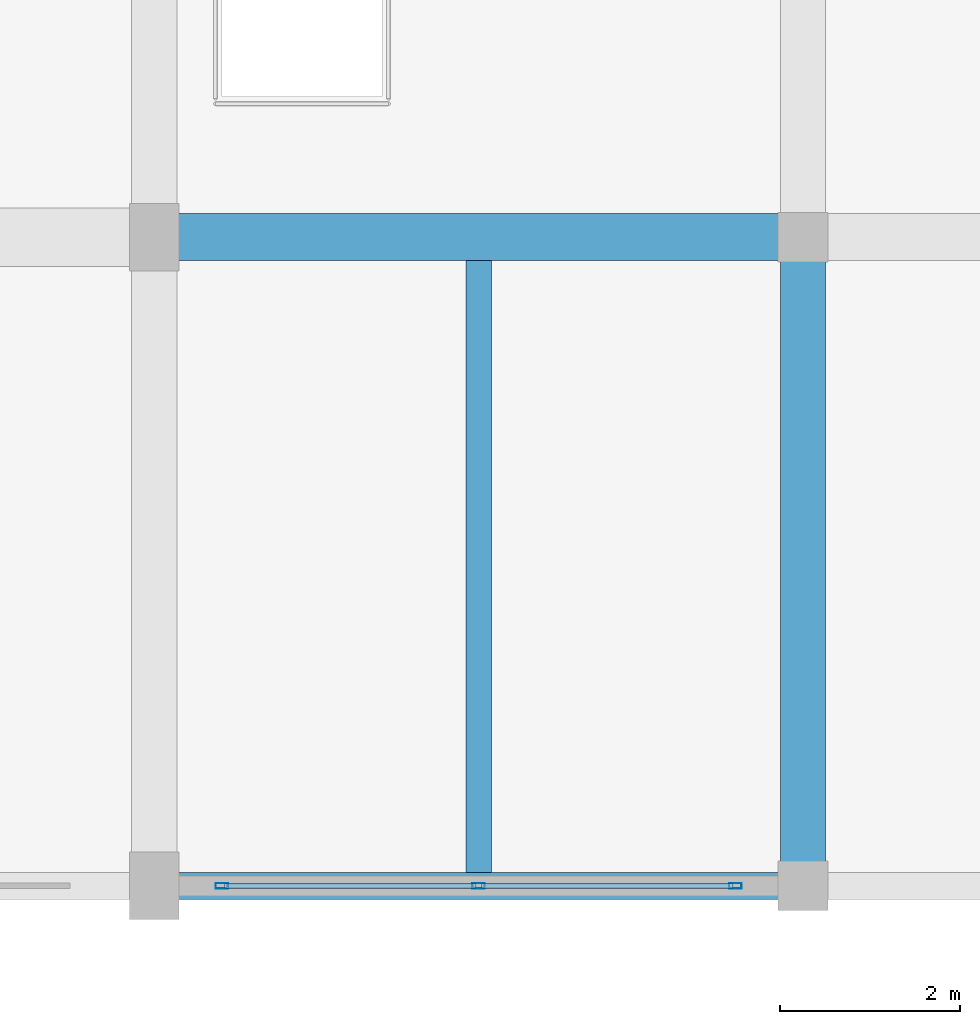
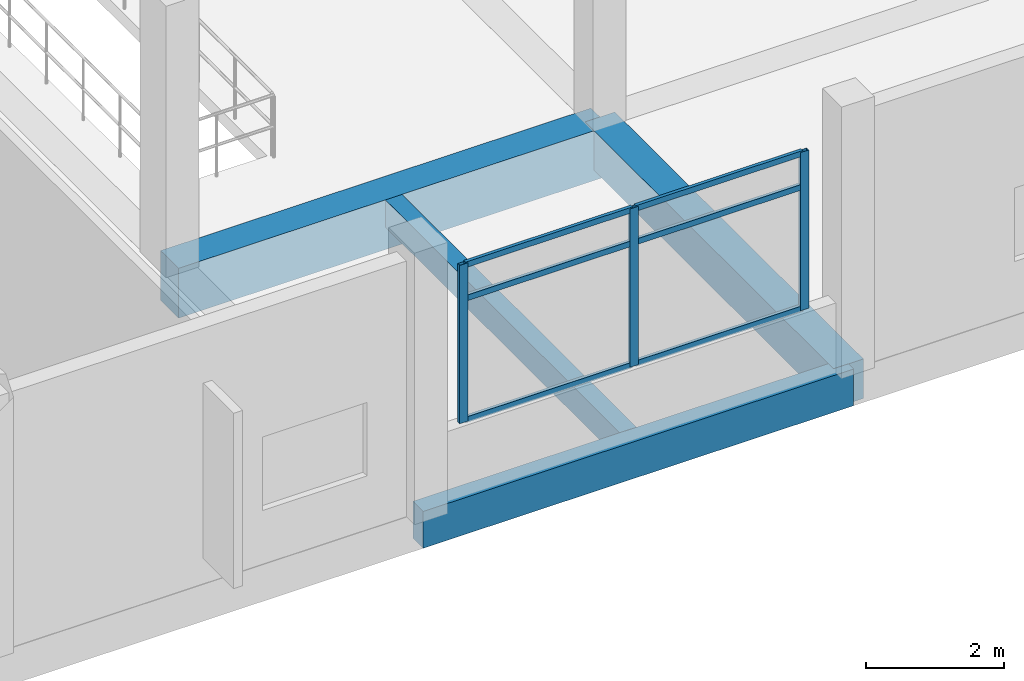
# One storey, part 83 of 140: 9 members, 4 beams, 1 element without a shape of its own.
"""IFC4 building model written with IfcOpenShell, lengths in metres."""

from ifc_helpers import new_model, si_unit, direction, frame, origin, origin_2d, place, context, subcontext, project, spatial, rectangle, hollow_rectangle, extrude, material, layer, layer_set, material_profile, profile_set, type_object, element, aggregate, save


model = new_model("IFC4")

# Units and contexts
model_context = context("Model", 3, precision=1e-05, world=origin(), true_north=direction((0.0, 1.0)))
body_context = subcontext(model_context, "Body", "Model", "MODEL_VIEW")
ifc_project = project(units=[si_unit("LENGTHUNIT", "METRE"), si_unit("AREAUNIT", "SQUARE_METRE"), si_unit("VOLUMEUNIT", "CUBIC_METRE"), si_unit("PLANEANGLEUNIT", "RADIAN"), si_unit("MASSUNIT", "GRAM", prefix="KILO")], contexts=[model_context])

# Site, building, storey
site_placement = place(None, origin())
site = spatial("IfcSite", under=ifc_project, at=site_placement, CompositionType="ELEMENT")
building_placement = place(site_placement, origin())
building = spatial("IfcBuilding", under=site, at=building_placement, Name="Seraya Terrace Polytechnic", CompositionType="ELEMENT")
storey_placement = place(building_placement, frame((0.0, 0.0, 9.60009765625)))
storey = spatial("IfcBuildingStorey", under=building, at=storey_placement, Name="L02", CompositionType="ELEMENT", Elevation=9.60009765625)

# Beams
ifc_material_1 = material(Name="Concrete C40/50", Category="concrete")
ifc_material_profile_1 = material_profile(ifc_material_1, rectangle(XDim=0.52001953125, YDim=0.8798828125, at=origin_2d()), Name="RC 520x880")
ifc_profile_set_1 = profile_set([ifc_material_profile_1], Name="Concrete C40/50")
beam_type_1 = type_object("IfcBeamType", Name="BM-04", PredefinedType="BEAM", material=ifc_profile_set_1)
beam_1_placement = place(storey_placement, frame((151.199951171875, 7.199951171875, -0.440185546875), z_axis=(1.0, 0.0, 0.0), x_axis=(0.0, 1.0, 0.0)))
element("IfcBeam", 1, at=beam_1_placement, inside=storey, type_object=beam_type_1, Name="Beam BM-04 L02 X (151.2..158.4, 7.2)", PredefinedType="BEAM", context=body_context, shape_type="SweptSolid", body=[
    extrude(rectangle(XDim=0.52001953125, YDim=0.8798828125, at=origin_2d()), origin(), (0.0, 0.0, 1.0), 7.199951171875),
])
ifc_material_profile_2 = material_profile(ifc_material_1, rectangle(XDim=0.5, YDim=0.699951171875, at=origin_2d()), Name="RC 500x700")
ifc_profile_set_2 = profile_set([ifc_material_profile_2], Name="Concrete C40/50")
beam_type_2 = type_object("IfcBeamType", Name="BM-07", PredefinedType="BEAM", material=ifc_profile_set_2)
beam_2_placement = place(storey_placement, frame((158.39990234375, 0.0, -0.35009765625), z_axis=(0.0, 1.0, 0.0), x_axis=(-1.0, 0.0, 0.0)))
element("IfcBeam", 2, at=beam_2_placement, inside=storey, type_object=beam_type_2, Name="Beam BM-07 L02 Y (158.4, 0.0..7.2)", PredefinedType="BEAM", context=body_context, shape_type="SweptSolid", body=[
    extrude(rectangle(XDim=0.5, YDim=0.699951171875, at=origin_2d()), origin(), (0.0, 0.0, 1.0), 7.199951171875),
])

# Curtain wall, members
ifc_material_2 = material(Name="Anodised aluminium EN AW-6063 T6", Category="aluminium")
ifc_layer = layer(ifc_material_2, 0.179931640625, Name="CW-33")
ifc_layer_set = layer_set([ifc_layer], Name="Anodised aluminium EN AW-6063 T6")
curtain_wall_type = type_object("IfcCurtainWallType", Name="CW-33", PredefinedType="NOTDEFINED", material=ifc_layer_set)
curtain_wall_placement = place(storey_placement, origin())
curtain_wall = element("IfcCurtainWall", 3, at=curtain_wall_placement, inside=storey, type_object=curtain_wall_type, Name="Unitised curtain wall CW-33 (CW-L02-069)", PredefinedType="NOTDEFINED")
ifc_material_profile_3 = material_profile(ifc_material_2, hollow_rectangle(XDim=0.06005859375, YDim=0.139892578125, WallThickness=0.00341796875, at=origin_2d()), Name="RHS 140x60x3.5")
ifc_profile_set_3 = profile_set([ifc_material_profile_3], Name="Anodised aluminium EN AW-6063 T6")
member_type_1 = type_object("IfcMemberType", Name="CWM-03", PredefinedType="MULLION", material=ifc_profile_set_3)
member_1_placement = place(storey_placement, frame((157.64990234375, 0.0, 1.239990234375), z_axis=(0.0, 0.0, 1.0), x_axis=(0.0, -1.0, 0.0)))
member_1 = element("IfcMember", 4, at=member_1_placement, type_object=member_type_1, Name="CW-33 mullion 1", PredefinedType="MULLION", context=body_context, shape_type="SweptSolid", body=[
    extrude(hollow_rectangle(XDim=0.06005859375, YDim=0.139892578125, WallThickness=0.00341796875, at=origin_2d()), origin(), (0.0, 0.0, 1.0), 2.7998046875),
])
member_2_placement = place(storey_placement, frame((154.800048828125, 0.0, 1.239990234375), z_axis=(0.0, 0.0, 1.0), x_axis=(0.0, -1.0, 0.0)))
member_2 = element("IfcMember", 5, at=member_2_placement, type_object=member_type_1, Name="CW-33 mullion 2", PredefinedType="MULLION", context=body_context, shape_type="SweptSolid", body=[
    extrude(hollow_rectangle(XDim=0.06005859375, YDim=0.139892578125, WallThickness=0.00341796875, at=origin_2d()), origin(), (0.0, 0.0, 1.0), 2.7998046875),
])
member_3_placement = place(storey_placement, frame((151.949951171875, 0.0, 1.239990234375), z_axis=(0.0, 0.0, 1.0), x_axis=(0.0, -1.0, 0.0)))
member_3 = element("IfcMember", 6, at=member_3_placement, type_object=member_type_1, Name="CW-33 mullion 3", PredefinedType="MULLION", context=body_context, shape_type="SweptSolid", body=[
    extrude(hollow_rectangle(XDim=0.06005859375, YDim=0.139892578125, WallThickness=0.00341796875, at=origin_2d()), origin(), (0.0, 0.0, 1.0), 2.7998046875),
])
ifc_material_profile_4 = material_profile(ifc_material_2, hollow_rectangle(XDim=0.054931640625, YDim=0.10009765625, WallThickness=0.0029296875, at=origin_2d()), Name="RHS 100x55x3.0")
ifc_profile_set_4 = profile_set([ifc_material_profile_4], Name="Anodised aluminium EN AW-6063 T6")
member_type_2 = type_object("IfcMemberType", Name="CWT-03", PredefinedType="USERDEFINED", material=ifc_profile_set_4)
member_4_placement = place(storey_placement, frame((157.6201171875, 0.0, 1.267333984375), z_axis=(-1.0, 0.0, 0.0), x_axis=(0.0, -1.0, 0.0)))
member_4 = element("IfcMember", 7, at=member_4_placement, type_object=member_type_2, Name="CW-33 transom 1.1", ObjectType="TRANSOM", PredefinedType="USERDEFINED", context=body_context, shape_type="SweptSolid", body=[
    extrude(hollow_rectangle(XDim=0.054931640625, YDim=0.10009765625, WallThickness=0.0029296875, at=origin_2d()), origin(), (0.0, 0.0, 1.0), 2.7900390625),
])
member_5_placement = place(storey_placement, frame((157.6201171875, 0.0, 3.419921875), z_axis=(-1.0, 0.0, 0.0), x_axis=(0.0, -1.0, 0.0)))
member_5 = element("IfcMember", 8, at=member_5_placement, type_object=member_type_2, Name="CW-33 transom 1.2", ObjectType="TRANSOM", PredefinedType="USERDEFINED", context=body_context, shape_type="SweptSolid", body=[
    extrude(hollow_rectangle(XDim=0.054931640625, YDim=0.10009765625, WallThickness=0.0029296875, at=origin_2d()), origin(), (0.0, 0.0, 1.0), 2.7900390625),
])
member_6_placement = place(storey_placement, frame((157.6201171875, 0.0, 4.012451171875), z_axis=(-1.0, 0.0, 0.0), x_axis=(0.0, -1.0, 0.0)))
member_6 = element("IfcMember", 9, at=member_6_placement, type_object=member_type_2, Name="CW-33 transom 1.3", ObjectType="TRANSOM", PredefinedType="USERDEFINED", context=body_context, shape_type="SweptSolid", body=[
    extrude(hollow_rectangle(XDim=0.054931640625, YDim=0.10009765625, WallThickness=0.0029296875, at=origin_2d()), origin(), (0.0, 0.0, 1.0), 2.7900390625),
])
member_7_placement = place(storey_placement, frame((154.77001953125, 0.0, 1.267333984375), z_axis=(-1.0, 0.0, 0.0), x_axis=(0.0, -1.0, 0.0)))
member_7 = element("IfcMember", 10, at=member_7_placement, type_object=member_type_2, Name="CW-33 transom 2.1", ObjectType="TRANSOM", PredefinedType="USERDEFINED", context=body_context, shape_type="SweptSolid", body=[
    extrude(hollow_rectangle(XDim=0.054931640625, YDim=0.10009765625, WallThickness=0.0029296875, at=origin_2d()), origin(), (0.0, 0.0, 1.0), 2.7900390625),
])
member_8_placement = place(storey_placement, frame((154.77001953125, 0.0, 3.419921875), z_axis=(-1.0, 0.0, 0.0), x_axis=(0.0, -1.0, 0.0)))
member_8 = element("IfcMember", 11, at=member_8_placement, type_object=member_type_2, Name="CW-33 transom 2.2", ObjectType="TRANSOM", PredefinedType="USERDEFINED", context=body_context, shape_type="SweptSolid", body=[
    extrude(hollow_rectangle(XDim=0.054931640625, YDim=0.10009765625, WallThickness=0.0029296875, at=origin_2d()), origin(), (0.0, 0.0, 1.0), 2.7900390625),
])
member_9_placement = place(storey_placement, frame((154.77001953125, 0.0, 4.012451171875), z_axis=(-1.0, 0.0, 0.0), x_axis=(0.0, -1.0, 0.0)))
member_9 = element("IfcMember", 12, at=member_9_placement, type_object=member_type_2, Name="CW-33 transom 2.3", ObjectType="TRANSOM", PredefinedType="USERDEFINED", context=body_context, shape_type="SweptSolid", body=[
    extrude(hollow_rectangle(XDim=0.054931640625, YDim=0.10009765625, WallThickness=0.0029296875, at=origin_2d()), origin(), (0.0, 0.0, 1.0), 2.7900390625),
])
aggregate(curtain_wall, [member_1, member_2, member_3, member_4, member_5, member_6, member_7, member_8, member_9])

# Beams
ifc_material_profile_5 = material_profile(ifc_material_1, rectangle(XDim=0.280029296875, YDim=0.47998046875, at=origin_2d()), Name="RC 280x480")
ifc_profile_set_5 = profile_set([ifc_material_profile_5], Name="Concrete C40/50")
beam_type_3 = type_object("IfcBeamType", Name="JS-07", PredefinedType="JOIST", material=ifc_profile_set_5)
beam_3_placement = place(storey_placement, frame((154.800048828125, 0.14990234375, -0.239990234375), z_axis=(0.0, 1.0, 0.0), x_axis=(-1.0, 0.0, 0.0)))
element("IfcBeam", 13, at=beam_3_placement, inside=storey, type_object=beam_type_3, Name="Secondary joist JS-07 L02", PredefinedType="JOIST", context=body_context, shape_type="SweptSolid", body=[
    extrude(rectangle(XDim=0.280029296875, YDim=0.47998046875, at=origin_2d()), origin(), (0.0, 0.0, 1.0), 6.7900390625),
])
ifc_material_profile_6 = material_profile(ifc_material_1, rectangle(XDim=0.300048828125, YDim=0.64990234375, at=origin_2d()), Name="RC 300x650")
ifc_profile_set_6 = profile_set([ifc_material_profile_6], Name="Concrete C40/50")
beam_type_4 = type_object("IfcBeamType", Name="SP-01", PredefinedType="SPANDREL", material=ifc_profile_set_6)
beam_4_placement = place(storey_placement, frame((151.199951171875, 0.0, -0.3251953125), z_axis=(1.0, 0.0, 0.0), x_axis=(0.0, 1.0, 0.0)))
element("IfcBeam", 14, at=beam_4_placement, inside=storey, type_object=beam_type_4, Name="Beam SP-01 L02 X (151.2..158.4, 0.0)", PredefinedType="SPANDREL", context=body_context, shape_type="SweptSolid", body=[
    extrude(rectangle(XDim=0.300048828125, YDim=0.64990234375, at=origin_2d()), origin(), (0.0, 0.0, 1.0), 7.199951171875),
])

save(model, "model.ifc")
